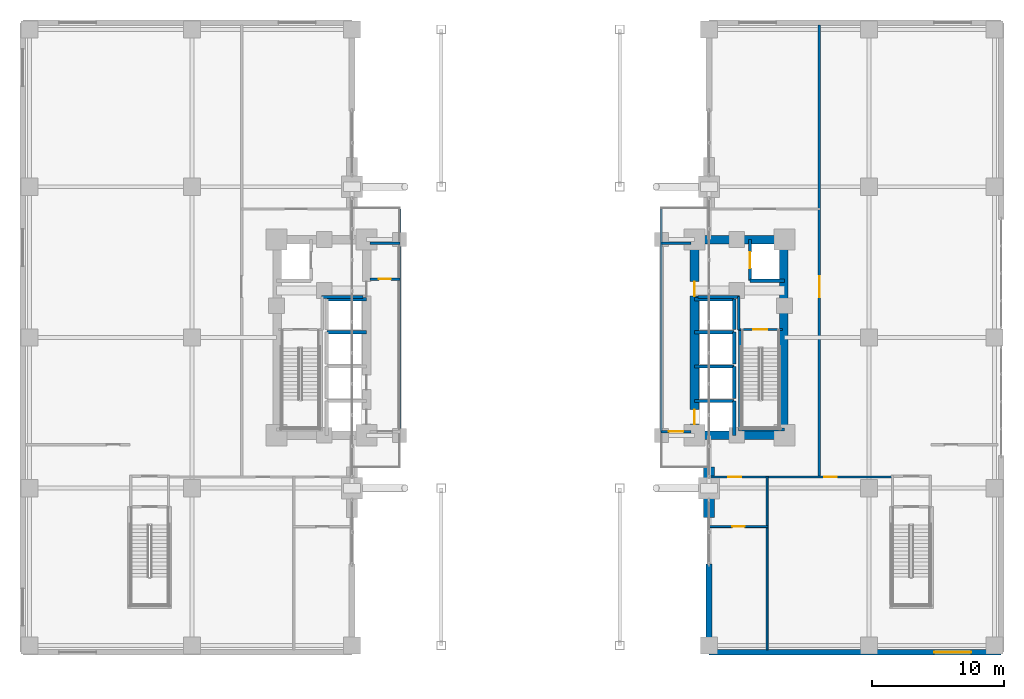
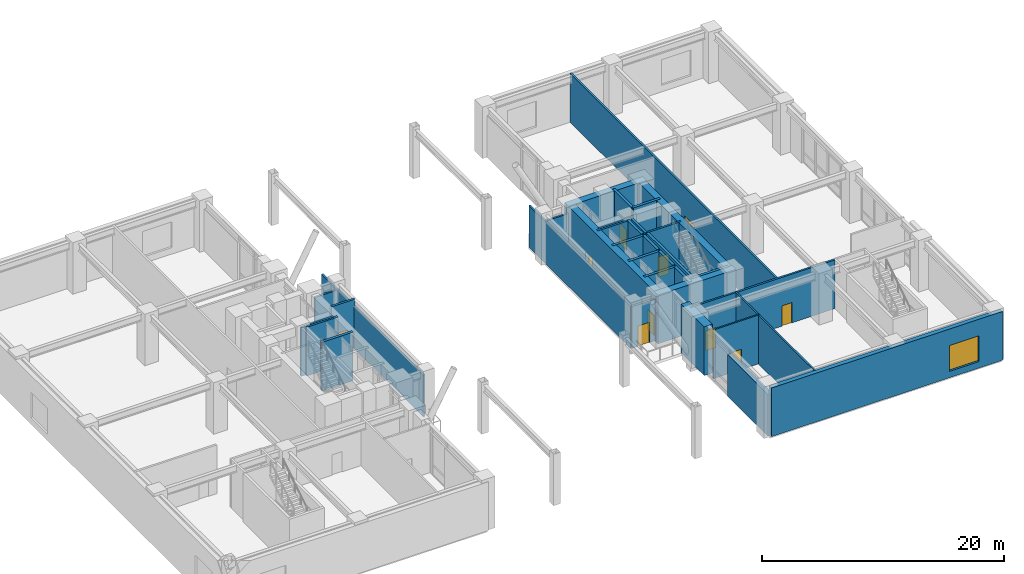
# One storey, part 21 of 27: 35 walls, 10 doors, 1 window, 11 openings.
"""IFC4 building model written with IfcOpenShell, lengths in metres."""

from ifc_helpers import new_model, si_unit, direction, frame, frame_2d, origin, place, context, subcontext, project, spatial, rectangle, extrude, material, layer, layer_set, type_object, element, fill, save


model = new_model("IFC4")

# Units and contexts
model_context = context("Model", 3, precision=1e-05, world=origin(), true_north=direction((0.0, 1.0)))
body_context = subcontext(model_context, "Body", "Model", "MODEL_VIEW")
ifc_project = project(units=[si_unit("LENGTHUNIT", "METRE"), si_unit("AREAUNIT", "SQUARE_METRE"), si_unit("VOLUMEUNIT", "CUBIC_METRE"), si_unit("PLANEANGLEUNIT", "RADIAN"), si_unit("MASSUNIT", "GRAM", prefix="KILO")], contexts=[model_context])

# Site, building, storey
site_placement = place(None, origin())
site = spatial("IfcSite", under=ifc_project, at=site_placement, CompositionType="ELEMENT")
building_placement = place(site_placement, origin())
building = spatial("IfcBuilding", under=site, at=building_placement, Name="Voryun Gate Residences", CompositionType="ELEMENT")
storey_placement = place(building_placement, frame((0.0, 0.0, 5.199951171875)))
storey = spatial("IfcBuildingStorey", under=building, at=storey_placement, Name="L01", CompositionType="ELEMENT", Elevation=5.199951171875)

# Walls
ifc_material_1 = material(Name="Concrete C60/75", Category="concrete")
ifc_layer_1 = layer(ifc_material_1, 0.64990234375, Name="CW_CORE_650")
ifc_layer_set_1 = layer_set([ifc_layer_1], Name="Concrete C60/75")
wall_type_1 = type_object("IfcWallType", Name="CW_CORE_650", PredefinedType="SHEAR", material=ifc_layer_set_1)
for number, where, z_axis, x_axis, name in (
    (1, (12.074951171875, -7.39990234375, 0.0), (0.0, 0.0, 1.0), (1.0, 0.0, 0.0), "L01 Core shear wall CW-L01-ES"),
    (2, (12.074951171875, 7.39990234375, 0.0), (0.0, 0.0, 1.0), (1.0, 0.0, 0.0), "L01 Core shear wall CW-L01-EN"),
):
    element("IfcWall", number, at=place(storey_placement, frame(where, z_axis=z_axis, x_axis=x_axis)), inside=storey, type_object=wall_type_1, Name=name, PredefinedType="SHEAR", context=body_context, shape_type="SweptSolid", body=[
        extrude(rectangle(XDim=7.449951171875, YDim=0.64990234375, at=frame_2d((3.72509765625, 0.0))), origin(), (0.0, 0.0, 1.0), 4.920166015625),
    ])

# Wall, openings, doors
wall_1_placement = place(storey_placement, frame((12.39990234375, -7.39990234375, 0.0), z_axis=(0.0, 0.0, 1.0), x_axis=(0.0, 1.0, 0.0)))
wall_1 = element("IfcWall", 3, at=wall_1_placement, inside=storey, type_object=wall_type_1, Name="L01 Core shear wall CW-L01-EW", PredefinedType="SHEAR", context=body_context, shape_type="SweptSolid", body=[
    extrude(rectangle(XDim=14.7998046875, YDim=0.64990234375, at=frame_2d((7.39990234375, 0.0))), origin(), (0.0, 0.0, 1.0), 4.920166015625),
])
opening_1_placement = place(wall_1_placement, frame((0.85009765625, 0.0, 0.0)))
opening_1 = element("IfcOpeningElement", 4, at=opening_1_placement, cuts=wall_1, Name="Opening LD2", PredefinedType="OPENING", context=body_context, shape_type="SweptSolid", body=[
    extrude(rectangle(XDim=1.10009765625, YDim=2.050048828125, at=frame_2d((0.550048828125, 1.02490234375))), frame((0.0, 0.3349609375, 0.0), z_axis=(0.0, -1.0, 0.0), x_axis=(1.0, 0.0, 0.0)), (0.0, 0.0, 1.0), 0.669921875),
])
opening_2_placement = place(wall_1_placement, frame((10.530029296875, 0.0, 0.0)))
opening_2 = element("IfcOpeningElement", 5, at=opening_2_placement, cuts=wall_1, Name="Opening D-FD60-2", PredefinedType="OPENING", context=body_context, shape_type="SweptSolid", body=[
    extrude(rectangle(XDim=1.10009765625, YDim=2.050048828125, at=frame_2d((0.550048828125, 1.02490234375))), frame((0.0, 0.3349609375, 0.0), z_axis=(0.0, -1.0, 0.0), x_axis=(1.0, 0.0, 0.0)), (0.0, 0.0, 1.0), 0.669921875),
])
ifc_material_2 = material(Name="Painted steel fire door", Category="steel")
door_type_1 = type_object("IfcDoorType", Name="DR_FD60_FFLOB_1100", OperationType="NOTDEFINED", PredefinedType="DOOR", material=ifc_material_2)
door_1_placement = place(opening_2_placement, origin())
door_1 = element("IfcDoor", 6, at=door_1_placement, inside=storey, type_object=door_type_1, Name="Door DR-L01-CLOB-E", OperationType="SINGLE_SWING_RIGHT", OverallHeight=2.050048828125, OverallWidth=1.10009765625, PredefinedType="DOOR", context=body_context, shape_type="SweptSolid", body=[
    extrude(rectangle(XDim=1.10009765625, YDim=2.050048828125, at=frame_2d((0.550048828125, 1.02490234375))), frame((0.0, 0.02490234375, 0.0), z_axis=(0.0, -1.0, 0.0), x_axis=(1.0, 0.0, 0.0)), (0.0, 0.0, 1.0), 0.050048828125),
])
fill(opening_2, door_1)
ifc_material_3 = material(Name="Anodised aluminium", Category="aluminium")
door_type_2 = type_object("IfcDoorType", Name="DR_LD_PASS_1100", OperationType="NOTDEFINED", PredefinedType="DOOR", material=ifc_material_3)
door_2_placement = place(opening_1_placement, origin())
door_2 = element("IfcDoor", 7, at=door_2_placement, inside=storey, type_object=door_type_2, Name="Lift EL-P3 sliding landing door L01", OperationType="SLIDING_TO_LEFT", OverallHeight=2.050048828125, OverallWidth=1.10009765625, PredefinedType="DOOR", context=body_context, shape_type="SweptSolid", body=[
    extrude(rectangle(XDim=1.10009765625, YDim=2.050048828125, at=frame_2d((0.550048828125, 1.02490234375))), frame((0.0, 0.02490234375, 0.0), z_axis=(0.0, -1.0, 0.0), x_axis=(1.0, 0.0, 0.0)), (0.0, 0.0, 1.0), 0.050048828125),
])
fill(opening_1, door_2)

# Walls
wall_2_placement = place(storey_placement, frame((19.14501953125, -7.39990234375, 0.0), z_axis=(0.0, 0.0, 1.0), x_axis=(0.0, 1.0, 0.0)))
element("IfcWall", 8, at=wall_2_placement, inside=storey, type_object=wall_type_1, Name="L01 Core shear wall CW-L01-EE", PredefinedType="SHEAR", context=body_context, shape_type="SweptSolid", body=[
    extrude(rectangle(XDim=14.7998046875, YDim=0.64990234375, at=frame_2d((7.39990234375, 0.0))), origin(), (0.0, 0.0, 1.0), 4.920166015625),
])
ifc_material_4 = material(Name="Concrete C60/75", Category="concrete")
ifc_layer_2 = layer(ifc_material_4, 0.800048828125, Name="W_ARCH_PIER_800")
ifc_layer_set_2 = layer_set([ifc_layer_2], Name="Concrete C60/75")
wall_type_2 = type_object("IfcWallType", Name="W_ARCH_PIER_800", PredefinedType="SOLIDWALL", material=ifc_layer_set_2)
wall_3_placement = place(storey_placement, frame((13.5, -13.60009765625, 0.0), z_axis=(0.0, 0.0, 1.0), x_axis=(0.0, 1.0, 0.0)))
element("IfcWall", 9, at=wall_3_placement, inside=storey, type_object=wall_type_2, Name="L01 Parabolic arch pier wall ES", PredefinedType="SOLIDWALL", context=body_context, shape_type="SweptSolid", body=[
    extrude(rectangle(XDim=3.800048828125, YDim=0.800048828125, at=frame_2d((1.89990234375, 0.0))), origin(), (0.0, 0.0, 1.0), 4.920166015625),
])
ifc_material_5 = material(Name="Gypsum acoustic fireboard")
ifc_layer_3 = layer(ifc_material_5, 0.179931640625, Name="W_CORR_RATED_180")
ifc_layer_set_3 = layer_set([ifc_layer_3], Name="Gypsum acoustic fireboard")
wall_type_3 = type_object("IfcWallType", Name="W_CORR_RATED_180", PredefinedType="PARTITIONING", material=ifc_layer_set_3)
wall_4_placement = place(storey_placement, frame((-12.14990234375, 7.1201171875, 0.0), z_axis=(0.0, 0.0, 1.0), x_axis=(1.0, 0.0, 0.0)))
element("IfcWall", 10, at=wall_4_placement, inside=storey, type_object=wall_type_3, Name="Partition wall WP-L01-PLBN-W", PredefinedType="PARTITIONING", context=body_context, shape_type="SweptSolid", body=[
    extrude(rectangle(XDim=2.27001953125, YDim=0.179931640625, at=frame_2d((1.135009765625, 0.0))), origin(), (0.0, 0.0, 1.0), 4.2099609375),
])

# Wall, opening, door
wall_5_placement = place(storey_placement, frame((15.699951171875, 0.60009765625, 0.0), z_axis=(0.0, 0.0, 1.0), x_axis=(1.0, 0.0, 0.0)))
wall_5 = element("IfcWall", 11, at=wall_5_placement, inside=storey, type_object=wall_type_3, Name="Partition wall WP-L01-STV-E", PredefinedType="PARTITIONING", context=body_context, shape_type="SweptSolid", body=[
    extrude(rectangle(XDim=3.360107421875, YDim=0.179931640625, at=frame_2d((1.68017578125, 0.0))), origin(), (0.0, 0.0, 1.0), 4.920166015625),
])
opening_3_placement = place(wall_5_placement, frame((1.155029296875, 0.0, 0.0)))
opening_3 = element("IfcOpeningElement", 12, at=opening_3_placement, cuts=wall_5, Name="Opening D-FD60-1", PredefinedType="OPENING", context=body_context, shape_type="SweptSolid", body=[
    extrude(rectangle(XDim=1.050048828125, YDim=2.050048828125, at=frame_2d((0.52490234375, 1.02490234375))), frame((0.0, 0.099853515625, 0.0), z_axis=(0.0, -1.0, 0.0), x_axis=(1.0, 0.0, 0.0)), (0.0, 0.0, 1.0), 0.199951171875),
])
ifc_material_6 = material(Name="Painted steel fire door", Category="steel")
door_type_3 = type_object("IfcDoorType", Name="DR_FD60_STAIR_1050", OperationType="NOTDEFINED", PredefinedType="DOOR", material=ifc_material_6)
door_3_placement = place(opening_3_placement, origin())
door_3 = element("IfcDoor", 13, at=door_3_placement, inside=storey, type_object=door_type_3, Name="Door DR-L01-ST-E", OperationType="SINGLE_SWING_RIGHT", OverallHeight=2.050048828125, OverallWidth=1.050048828125, PredefinedType="DOOR", context=body_context, shape_type="SweptSolid", body=[
    extrude(rectangle(XDim=1.050048828125, YDim=2.050048828125, at=frame_2d((0.52490234375, 1.02490234375))), frame((0.0, 0.02490234375, 0.0), z_axis=(0.0, -1.0, 0.0), x_axis=(1.0, 0.0, 0.0)), (0.0, 0.0, 1.0), 0.050048828125),
])
fill(opening_3, door_3)

# Wall
wall_6_placement = place(storey_placement, frame((9.8798828125, 7.1201171875, 0.0), z_axis=(0.0, 0.0, 1.0), x_axis=(1.0, 0.0, 0.0)))
element("IfcWall", 14, at=wall_6_placement, inside=storey, type_object=wall_type_3, Name="Partition wall WP-L01-PLBN-E", PredefinedType="PARTITIONING", context=body_context, shape_type="SweptSolid", body=[
    extrude(rectangle(XDim=2.27001953125, YDim=0.179931640625, at=frame_2d((1.135009765625, 0.0))), origin(), (0.0, 0.0, 1.0), 4.2099609375),
])

# Wall, opening, door
wall_7_placement = place(storey_placement, frame((9.8798828125, -7.1201171875, 0.0), z_axis=(0.0, 0.0, 1.0), x_axis=(1.0, 0.0, 0.0)))
wall_7 = element("IfcWall", 15, at=wall_7_placement, inside=storey, type_object=wall_type_3, Name="Partition wall WP-L01-PLBS-E", PredefinedType="PARTITIONING", context=body_context, shape_type="SweptSolid", body=[
    extrude(rectangle(XDim=2.27001953125, YDim=0.179931640625, at=frame_2d((1.135009765625, 0.0))), origin(), (0.0, 0.0, 1.0), 4.2099609375),
])
opening_4_placement = place(wall_7_placement, frame((0.5849609375, 0.0, 0.0)))
opening_4 = element("IfcOpeningElement", 16, at=opening_4_placement, cuts=wall_7, Name="Opening D-FD60-2", PredefinedType="OPENING", context=body_context, shape_type="SweptSolid", body=[
    extrude(rectangle(XDim=1.10009765625, YDim=2.050048828125, at=frame_2d((0.550048828125, 1.02490234375))), frame((0.0, 0.099853515625, 0.0), z_axis=(0.0, -1.0, 0.0), x_axis=(1.0, 0.0, 0.0)), (0.0, 0.0, 1.0), 0.199951171875),
])
door_4_placement = place(opening_4_placement, origin())
door_4 = element("IfcDoor", 17, at=door_4_placement, inside=storey, type_object=door_type_1, Name="Door DR-L01-PLBNE", OperationType="SINGLE_SWING_RIGHT", OverallHeight=2.050048828125, OverallWidth=1.10009765625, PredefinedType="DOOR", context=body_context, shape_type="SweptSolid", body=[
    extrude(rectangle(XDim=1.10009765625, YDim=2.050048828125, at=frame_2d((0.550048828125, 1.02490234375))), frame((0.0, 0.02490234375, 0.0), z_axis=(0.0, -1.0, 0.0), x_axis=(1.0, 0.0, 0.0)), (0.0, 0.0, 1.0), 0.050048828125),
])
fill(opening_4, door_4)

# Walls
for number, where, z_axis, x_axis, name in (
    (18, (-9.89990234375, -7.1201171875, 0.0), (0.0, 0.0, 1.0), (0.0, 1.0, 0.0), "Partition wall WP-L01-PLBW"),
    (19, (9.89990234375, -7.1201171875, 0.0), (0.0, 0.0, 1.0), (0.0, 1.0, 0.0), "Partition wall WP-L01-PLBE"),
):
    element("IfcWall", number, at=place(storey_placement, frame(where, z_axis=z_axis, x_axis=x_axis)), inside=storey, type_object=wall_type_3, Name=name, PredefinedType="PARTITIONING", context=body_context, shape_type="SweptSolid", body=[
        extrude(rectangle(XDim=16.820068359375, YDim=0.179931640625, at=frame_2d((8.41015625, 0.0))), origin(), (0.0, 0.0, 1.0), 4.2099609375),
    ])

# Wall, opening, door
wall_8_placement = place(storey_placement, frame((21.85009765625, -10.5, 0.0), z_axis=(0.0, 0.0, 1.0), x_axis=(0.0, 1.0, 0.0)))
wall_8 = element("IfcWall", 20, at=wall_8_placement, inside=storey, type_object=wall_type_3, Name="Partition wall WP-L01-ECE1", PredefinedType="PARTITIONING", context=body_context, shape_type="SweptSolid", body=[
    extrude(rectangle(XDim=34.1201171875, YDim=0.179931640625, at=frame_2d((17.06005859375, 0.0))), origin(), (0.0, 0.0, 1.0), 4.920166015625),
])
opening_5_placement = place(wall_8_placement, frame((13.530517578125, 0.0, 0.0)))
opening_5 = element("IfcOpeningElement", 21, at=opening_5_placement, cuts=wall_8, Name="Opening D-FD30-1", PredefinedType="OPENING", context=body_context, shape_type="SweptSolid", body=[
    extrude(rectangle(XDim=1.60009765625, YDim=2.050048828125, at=frame_2d((0.800048828125, 1.02490234375))), frame((0.0, 0.099853515625, 0.0), z_axis=(0.0, -1.0, 0.0), x_axis=(1.0, 0.0, 0.0)), (0.0, 0.0, 1.0), 0.199951171875),
])
ifc_material_7 = material(Name="Glazed aluminium fire door", Category="aluminium")
door_type_4 = type_object("IfcDoorType", Name="DR_CORR_SMOKE_1600", OperationType="NOTDEFINED", PredefinedType="DOOR", material=ifc_material_7)
door_5_placement = place(opening_5_placement, origin())
door_5 = element("IfcDoor", 22, at=door_5_placement, inside=storey, type_object=door_type_4, Name="Door DR-L01-ED1", OperationType="DOUBLE_DOOR_SINGLE_SWING", OverallHeight=2.050048828125, OverallWidth=1.60009765625, PredefinedType="DOOR", context=body_context, shape_type="SweptSolid", body=[
    extrude(rectangle(XDim=1.60009765625, YDim=2.050048828125, at=frame_2d((0.800048828125, 1.02490234375))), frame((0.0, 0.02490234375, 0.0), z_axis=(0.0, -1.0, 0.0), x_axis=(1.0, 0.0, 0.0)), (0.0, 0.0, 1.0), 0.050048828125),
])
fill(opening_5, door_5)

# Wall, openings, doors
wall_9_placement = place(storey_placement, frame((13.52001953125, -10.550048828125, 0.0), z_axis=(0.0, 0.0, 1.0), x_axis=(1.0, 0.0, 0.0)))
wall_9 = element("IfcWall", 23, at=wall_9_placement, inside=storey, type_object=wall_type_3, Name="Partition wall WP-L01-ECS2", PredefinedType="PARTITIONING", context=body_context, shape_type="SweptSolid", body=[
    extrude(rectangle(XDim=13.780029296875, YDim=0.179931640625, at=frame_2d((6.89013671875, 0.0))), origin(), (0.0, 0.0, 1.0), 4.920166015625),
])
opening_6_placement = place(wall_9_placement, frame((1.42919921875, 0.0, 0.0)))
opening_6 = element("IfcOpeningElement", 24, at=opening_6_placement, cuts=wall_9, Name="Opening D-AWC-1", PredefinedType="OPENING", context=body_context, shape_type="SweptSolid", body=[
    extrude(rectangle(XDim=1.0, YDim=2.050048828125, at=frame_2d((0.5, 1.02490234375))), frame((0.0, 0.099853515625, 0.0), z_axis=(0.0, -1.0, 0.0), x_axis=(1.0, 0.0, 0.0)), (0.0, 0.0, 1.0), 0.199951171875),
])
opening_7_placement = place(wall_9_placement, frame((8.701904296875, 0.0, 0.0)))
opening_7 = element("IfcOpeningElement", 25, at=opening_7_placement, cuts=wall_9, Name="Opening D-INT-1", PredefinedType="OPENING", context=body_context, shape_type="SweptSolid", body=[
    extrude(rectangle(XDim=0.949951171875, YDim=2.050048828125, at=frame_2d((0.47509765625, 1.02490234375))), frame((0.0, 0.099853515625, 0.0), z_axis=(0.0, -1.0, 0.0), x_axis=(1.0, 0.0, 0.0)), (0.0, 0.0, 1.0), 0.199951171875),
])
ifc_material_8 = material(Name="Architectural oak veneer")
door_type_5 = type_object("IfcDoorType", Name="DR_ACC_WC_1000", OperationType="NOTDEFINED", PredefinedType="DOOR", material=ifc_material_8)
door_6_placement = place(opening_6_placement, origin())
door_6 = element("IfcDoor", 26, at=door_6_placement, inside=storey, type_object=door_type_5, Name="Door DR-L01-EDWC", OperationType="SINGLE_SWING_LEFT", OverallHeight=2.050048828125, OverallWidth=1.0, PredefinedType="DOOR", context=body_context, shape_type="SweptSolid", body=[
    extrude(rectangle(XDim=1.0, YDim=2.050048828125, at=frame_2d((0.5, 1.02490234375))), frame((0.0, 0.02490234375, 0.0), z_axis=(0.0, -1.0, 0.0), x_axis=(1.0, 0.0, 0.0)), (0.0, 0.0, 1.0), 0.050048828125),
])
fill(opening_6, door_6)
ifc_material_9 = material(Name="Architectural oak veneer")
door_type_6 = type_object("IfcDoorType", Name="DR_INT_ROOM_950", OperationType="NOTDEFINED", PredefinedType="DOOR", material=ifc_material_9)
door_7_placement = place(opening_7_placement, origin())
door_7 = element("IfcDoor", 27, at=door_7_placement, inside=storey, type_object=door_type_6, Name="Door DR-L01-ED3", OperationType="SINGLE_SWING_RIGHT", OverallHeight=2.050048828125, OverallWidth=0.949951171875, PredefinedType="DOOR", context=body_context, shape_type="SweptSolid", body=[
    extrude(rectangle(XDim=0.949951171875, YDim=2.050048828125, at=frame_2d((0.47509765625, 1.02490234375))), frame((0.0, 0.02490234375, 0.0), z_axis=(0.0, -1.0, 0.0), x_axis=(1.0, 0.0, 0.0)), (0.0, 0.0, 1.0), 0.050048828125),
])
fill(opening_7, door_7)

# Wall, opening, window
ifc_material_10 = material(Name="Granite masonry", Category="masonry")
ifc_layer_4 = layer(ifc_material_10, 0.419921875, Name="W_EXT_PODIUM_420")
ifc_layer_set_4 = layer_set([ifc_layer_4], Name="Granite masonry")
wall_type_4 = type_object("IfcWallType", Name="W_EXT_PODIUM_420", PredefinedType="ELEMENTEDWALL", material=ifc_layer_set_4)
wall_10_placement = place(storey_placement, frame((13.5, -23.800048828125, 0.0), z_axis=(0.0, 0.0, 1.0), x_axis=(1.0, 0.0, 0.0)))
wall_10 = element("IfcWall", 28, at=wall_10_placement, inside=storey, type_object=wall_type_4, Name="Exterior wall WEP-L01-EP-1", PredefinedType="ELEMENTEDWALL", context=body_context, shape_type="SweptSolid", body=[
    extrude(rectangle(XDim=22.10009765625, YDim=0.419921875, at=frame_2d((11.050048828125, 0.0))), origin(), (0.0, 0.0, 1.0), 4.920166015625),
])
opening_8_placement = place(wall_10_placement, frame((17.01708984375, 0.0, 0.64990234375)))
opening_8 = element("IfcOpeningElement", 29, at=opening_8_placement, cuts=wall_10, Name="Opening WN5", PredefinedType="OPENING", context=body_context, shape_type="SweptSolid", body=[
    extrude(rectangle(XDim=2.800048828125, YDim=2.60009765625, at=frame_2d((1.39990234375, 1.300048828125))), frame((0.0, 0.219970703125, 0.0), z_axis=(0.0, -1.0, 0.0), x_axis=(1.0, 0.0, 0.0)), (0.0, 0.0, 1.0), 0.43994140625),
])
ifc_material_11 = material(Name="Laminated low-E glass", Category="glass")
window_type = type_object("IfcWindowType", Name="WN_POD_GALLERY_2800", PartitioningType="SINGLE_PANEL", PredefinedType="WINDOW", material=ifc_material_11)
window_placement = place(opening_8_placement, origin())
window = element("IfcWindow", 30, at=window_placement, inside=storey, type_object=window_type, Name="Window WN-L01-EP-1-03", OverallHeight=2.60009765625, OverallWidth=2.800048828125, PartitioningType="SINGLE_PANEL", PredefinedType="WINDOW", context=body_context, shape_type="SweptSolid", body=[
    extrude(rectangle(XDim=2.800048828125, YDim=2.60009765625, at=frame_2d((1.39990234375, 1.300048828125))), frame((0.0, 0.030029296875, 0.0), z_axis=(0.0, -1.0, 0.0), x_axis=(1.0, 0.0, 0.0)), (0.0, 0.0, 1.0), 0.06005859375),
])
fill(opening_8, window)

# Walls
wall_11_placement = place(storey_placement, frame((13.5, -23.800048828125, 0.0), z_axis=(0.0, 0.0, 1.0), x_axis=(0.0, 1.0, 0.0)))
element("IfcWall", 31, at=wall_11_placement, inside=storey, type_object=wall_type_4, Name="Exterior wall WEP-L01-EP-4A", PredefinedType="ELEMENTEDWALL", context=body_context, shape_type="SweptSolid", body=[
    extrude(rectangle(XDim=6.679931640625, YDim=0.419921875, at=frame_2d((3.33984375, 0.0))), origin(), (0.0, 0.0, 1.0), 4.2099609375),
])
ifc_material_12 = material(Name="Concrete C40/50", Category="concrete")
ifc_layer_5 = layer(ifc_material_12, 0.199951171875, Name="W_FF_LOBBY_200")
ifc_layer_set_5 = layer_set([ifc_layer_5], Name="Concrete C40/50")
wall_type_5 = type_object("IfcWallType", Name="W_FF_LOBBY_200", PredefinedType="PARTITIONING", material=ifc_layer_set_5)
wall_12_placement = place(storey_placement, frame((-15.820068359375, 3.06005859375, 0.0), z_axis=(0.0, 0.0, 1.0), x_axis=(1.0, 0.0, 0.0)))
element("IfcWall", 32, at=wall_12_placement, inside=storey, type_object=wall_type_5, Name="Partition wall WP-L01-FFPS-W", PredefinedType="PARTITIONING", context=body_context, shape_type="SweptSolid", body=[
    extrude(rectangle(XDim=3.16015625, YDim=0.199951171875, at=frame_2d((1.580078125, 0.0))), origin(), (0.0, 0.0, 1.0), 4.920166015625),
])

# Wall, opening, door
wall_13_placement = place(storey_placement, frame((-12.14990234375, 4.409912109375, 0.0), z_axis=(0.0, 0.0, 1.0), x_axis=(1.0, 0.0, 0.0)))
wall_13 = element("IfcWall", 33, at=wall_13_placement, inside=storey, type_object=wall_type_5, Name="Partition wall WP-L01-CSFLKS-W", PredefinedType="PARTITIONING", context=body_context, shape_type="SweptSolid", body=[
    extrude(rectangle(XDim=2.27001953125, YDim=0.199951171875, at=frame_2d((1.135009765625, 0.0))), origin(), (0.0, 0.0, 1.0), 4.920166015625),
])
opening_9_placement = place(wall_13_placement, frame((0.68505859375, 0.0, 0.0)))
opening_9 = element("IfcOpeningElement", 34, at=opening_9_placement, cuts=wall_13, Name="Opening D-FD60-4", PredefinedType="OPENING", context=body_context, shape_type="SweptSolid", body=[
    extrude(rectangle(XDim=0.89990234375, YDim=2.050048828125, at=frame_2d((0.449951171875, 1.02490234375))), frame((0.0, 0.110107421875, 0.0), z_axis=(0.0, -1.0, 0.0), x_axis=(1.0, 0.0, 0.0)), (0.0, 0.0, 1.0), 0.219970703125),
])
ifc_material_13 = material(Name="Painted steel fire door", Category="steel")
door_type_7 = type_object("IfcDoorType", Name="DR_FD60_RISER_900", OperationType="NOTDEFINED", PredefinedType="DOOR", material=ifc_material_13)
door_8_placement = place(opening_9_placement, origin())
door_8 = element("IfcDoor", 35, at=door_8_placement, inside=storey, type_object=door_type_7, Name="Door DR-L01-CSFLK-W", OperationType="SINGLE_SWING_LEFT", OverallHeight=2.050048828125, OverallWidth=0.89990234375, PredefinedType="DOOR", context=body_context, shape_type="SweptSolid", body=[
    extrude(rectangle(XDim=0.89990234375, YDim=2.050048828125, at=frame_2d((0.449951171875, 1.02490234375))), frame((0.0, 0.02490234375, 0.0), z_axis=(0.0, -1.0, 0.0), x_axis=(1.0, 0.0, 0.0)), (0.0, 0.0, 1.0), 0.050048828125),
])
fill(opening_9, door_8)

# Walls
wall_14_placement = place(storey_placement, frame((15.760009765625, 0.580078125, 0.0), z_axis=(0.0, 0.0, 1.0), x_axis=(0.0, 1.0, 0.0)))
element("IfcWall", 36, at=wall_14_placement, inside=storey, type_object=wall_type_5, Name="Partition wall WP-L01-FFP0-E", PredefinedType="PARTITIONING", context=body_context, shape_type="SweptSolid", body=[
    extrude(rectangle(XDim=2.52001953125, YDim=0.199951171875, at=frame_2d((1.260009765625, 0.0))), origin(), (0.0, 0.0, 1.0), 4.920166015625),
])
wall_15_placement = place(storey_placement, frame((12.659912109375, 3.06005859375, 0.0), z_axis=(0.0, 0.0, 1.0), x_axis=(1.0, 0.0, 0.0)))
element("IfcWall", 37, at=wall_15_placement, inside=storey, type_object=wall_type_5, Name="Partition wall WP-L01-FFPS-E", PredefinedType="PARTITIONING", context=body_context, shape_type="SweptSolid", body=[
    extrude(rectangle(XDim=3.16015625, YDim=0.199951171875, at=frame_2d((1.580078125, 0.0))), origin(), (0.0, 0.0, 1.0), 4.920166015625),
])
ifc_material_14 = material(Name="Concrete C50/60", Category="concrete")
ifc_layer_6 = layer(ifc_material_14, 0.25, Name="W_SHAFT_RC250")
ifc_layer_set_6 = layer_set([ifc_layer_6], Name="Concrete C50/60")
wall_type_6 = type_object("IfcWallType", Name="W_SHAFT_RC250", PredefinedType="SOLIDWALL", material=ifc_layer_set_6)
wall_16_placement = place(storey_placement, frame((15.860107421875, -7.0849609375, 0.0), z_axis=(0.0, 0.0, 1.0), x_axis=(0.0, 1.0, 0.0)))
element("IfcWall", 38, at=wall_16_placement, inside=storey, type_object=wall_type_6, Name="L01 Stair shaft structural wall E-STL", PredefinedType="SOLIDWALL", context=body_context, shape_type="SweptSolid", body=[
    extrude(rectangle(XDim=7.68505859375, YDim=0.25, at=frame_2d((3.842529296875, 0.0))), origin(), (0.0, 0.0, 1.0), 4.920166015625),
])
wall_17_placement = place(storey_placement, frame((15.739990234375, -6.965087890625, 0.0), z_axis=(0.0, 0.0, 1.0), x_axis=(1.0, 0.0, 0.0)))
element("IfcWall", 39, at=wall_17_placement, inside=storey, type_object=wall_type_6, Name="L01 Stair shaft structural wall E-STS", PredefinedType="SOLIDWALL", context=body_context, shape_type="SweptSolid", body=[
    extrude(rectangle(XDim=3.4599609375, YDim=0.25, at=frame_2d((1.72998046875, 0.0))), origin(), (0.0, 0.0, 1.0), 4.920166015625),
])
wall_18_placement = place(storey_placement, frame((16.60009765625, 4.300048828125, 0.0), z_axis=(0.0, 0.0, 1.0), x_axis=(1.0, 0.0, 0.0)))
element("IfcWall", 40, at=wall_18_placement, inside=storey, type_object=wall_type_6, Name="Lift shaft wall WSH-L01-EL-FF-E1-S", PredefinedType="SOLIDWALL", context=body_context, shape_type="SweptSolid", body=[
    extrude(rectangle(XDim=2.599853515625, YDim=0.25, at=frame_2d((1.2998046875, 0.0))), origin(), (0.0, 0.0, 1.0), 4.920166015625),
])

# Wall, opening, door
wall_19_placement = place(storey_placement, frame((16.60009765625, 7.39990234375, 0.0), z_axis=(0.0, 0.0, 1.0), x_axis=(0.0, -1.0, 0.0)))
wall_19 = element("IfcWall", 41, at=wall_19_placement, inside=storey, type_object=wall_type_6, Name="Lift shaft wall WSH-L01-EL-FF-E1-W", PredefinedType="SOLIDWALL", context=body_context, shape_type="SweptSolid", body=[
    extrude(rectangle(XDim=3.099853515625, YDim=0.25, at=frame_2d((1.5498046875, 0.0))), origin(), (0.0, 0.0, 1.0), 4.920166015625),
])
opening_10_placement = place(wall_19_placement, frame((0.949951171875, 0.0, 0.0)))
opening_10 = element("IfcOpeningElement", 42, at=opening_10_placement, cuts=wall_19, Name="Opening LD1", PredefinedType="OPENING", context=body_context, shape_type="SweptSolid", body=[
    extrude(rectangle(XDim=1.199951171875, YDim=2.050048828125, at=frame_2d((0.60009765625, 1.02490234375))), frame((0.0, 0.135009765625, 0.0), z_axis=(0.0, -1.0, 0.0), x_axis=(1.0, 0.0, 0.0)), (0.0, 0.0, 1.0), 0.27001953125),
])
ifc_material_15 = material(Name="Anodised aluminium", Category="aluminium")
door_type_8 = type_object("IfcDoorType", Name="DR_LD_FF_1200", OperationType="NOTDEFINED", PredefinedType="DOOR", material=ifc_material_15)
door_9_placement = place(opening_10_placement, origin())
door_9 = element("IfcDoor", 43, at=door_9_placement, inside=storey, type_object=door_type_8, Name="Lift EL-FF-E1 sliding landing door L01", OperationType="SLIDING_TO_LEFT", OverallHeight=2.050048828125, OverallWidth=1.199951171875, PredefinedType="DOOR", context=body_context, shape_type="SweptSolid", body=[
    extrude(rectangle(XDim=1.199951171875, YDim=2.050048828125, at=frame_2d((0.60009765625, 1.02490234375))), frame((0.0, 0.02490234375, 0.0), z_axis=(0.0, -1.0, 0.0), x_axis=(1.0, 0.0, 0.0)), (0.0, 0.0, 1.0), 0.050048828125),
])
fill(opening_10, door_9)

# Walls
wall_20_placement = place(storey_placement, frame((15.39990234375, -7.39990234375, 0.0), z_axis=(0.0, 0.0, 1.0), x_axis=(0.0, 1.0, 0.0)))
element("IfcWall", 44, at=wall_20_placement, inside=storey, type_object=wall_type_6, Name="Lift shaft wall WSH-L01-EL-P3-E", PredefinedType="SOLIDWALL", context=body_context, shape_type="SweptSolid", body=[
    extrude(rectangle(XDim=2.599853515625, YDim=0.25, at=frame_2d((1.2998046875, 0.0))), origin(), (0.0, 0.0, 1.0), 4.920166015625),
])
for number, where, z_axis, x_axis, name in (
    (45, (15.39990234375, -4.800048828125, 0.0), (0.0, 0.0, 1.0), (-1.0, 0.0, 0.0), "Lift shaft wall WSH-L01-EL-P3-N"),
    (46, (-12.39990234375, 0.39990234375, 0.0), (0.0, 0.0, 1.0), (-1.0, 0.0, 0.0), "Lift shaft wall WSH-L01-EL-P4-N"),
):
    element("IfcWall", number, at=place(storey_placement, frame(where, z_axis=z_axis, x_axis=x_axis)), inside=storey, type_object=wall_type_6, Name=name, PredefinedType="SOLIDWALL", context=body_context, shape_type="SweptSolid", body=[
        extrude(rectangle(XDim=3.0, YDim=0.25, at=frame_2d((1.5, 0.0))), origin(), (0.0, 0.0, 1.0), 4.920166015625),
    ])
wall_21_placement = place(storey_placement, frame((15.39990234375, -4.60009765625, 0.0), z_axis=(0.0, 0.0, 1.0), x_axis=(0.0, 1.0, 0.0)))
element("IfcWall", 47, at=wall_21_placement, inside=storey, type_object=wall_type_6, Name="Lift shaft wall WSH-L01-EL-P5-E", PredefinedType="SOLIDWALL", context=body_context, shape_type="SweptSolid", body=[
    extrude(rectangle(XDim=2.400146484375, YDim=0.25, at=frame_2d((1.2001953125, 0.0))), origin(), (0.0, 0.0, 1.0), 4.920166015625),
])
wall_22_placement = place(storey_placement, frame((15.39990234375, -2.199951171875, 0.0), z_axis=(0.0, 0.0, 1.0), x_axis=(-1.0, 0.0, 0.0)))
element("IfcWall", 48, at=wall_22_placement, inside=storey, type_object=wall_type_6, Name="Lift shaft wall WSH-L01-EL-P5-N", PredefinedType="SOLIDWALL", context=body_context, shape_type="SweptSolid", body=[
    extrude(rectangle(XDim=3.0, YDim=0.25, at=frame_2d((1.5, 0.0))), origin(), (0.0, 0.0, 1.0), 4.920166015625),
])
wall_23_placement = place(storey_placement, frame((15.39990234375, -2.0, 0.0), z_axis=(0.0, 0.0, 1.0), x_axis=(0.0, 1.0, 0.0)))
element("IfcWall", 49, at=wall_23_placement, inside=storey, type_object=wall_type_6, Name="Lift shaft wall WSH-L01-EL-P6-E", PredefinedType="SOLIDWALL", context=body_context, shape_type="SweptSolid", body=[
    extrude(rectangle(XDim=2.39990234375, YDim=0.25, at=frame_2d((1.199951171875, 0.0))), origin(), (0.0, 0.0, 1.0), 4.920166015625),
])
for number, where, z_axis, x_axis, name in (
    (50, (15.39990234375, 0.39990234375, 0.0), (0.0, 0.0, 1.0), (-1.0, 0.0, 0.0), "Lift shaft wall WSH-L01-EL-P6-N"),
    (51, (-12.39990234375, 2.89990234375, 0.0), (0.0, 0.0, 1.0), (-1.0, 0.0, 0.0), "Lift shaft wall WSH-L01-EL-P7-N"),
):
    element("IfcWall", number, at=place(storey_placement, frame(where, z_axis=z_axis, x_axis=x_axis)), inside=storey, type_object=wall_type_6, Name=name, PredefinedType="SOLIDWALL", context=body_context, shape_type="SweptSolid", body=[
        extrude(rectangle(XDim=3.0, YDim=0.25, at=frame_2d((1.5, 0.0))), origin(), (0.0, 0.0, 1.0), 4.920166015625),
    ])
wall_24_placement = place(storey_placement, frame((15.39990234375, 0.60009765625, 0.0), z_axis=(0.0, 0.0, 1.0), x_axis=(0.0, 1.0, 0.0)))
element("IfcWall", 52, at=wall_24_placement, inside=storey, type_object=wall_type_6, Name="Lift shaft wall WSH-L01-EL-P8-E", PredefinedType="SOLIDWALL", context=body_context, shape_type="SweptSolid", body=[
    extrude(rectangle(XDim=2.2998046875, YDim=0.25, at=frame_2d((1.14990234375, 0.0))), origin(), (0.0, 0.0, 1.0), 4.920166015625),
])
wall_25_placement = place(storey_placement, frame((15.39990234375, 2.89990234375, 0.0), z_axis=(0.0, 0.0, 1.0), x_axis=(-1.0, 0.0, 0.0)))
element("IfcWall", 53, at=wall_25_placement, inside=storey, type_object=wall_type_6, Name="Lift shaft wall WSH-L01-EL-P8-N", PredefinedType="SOLIDWALL", context=body_context, shape_type="SweptSolid", body=[
    extrude(rectangle(XDim=3.0, YDim=0.25, at=frame_2d((1.5, 0.0))), origin(), (0.0, 0.0, 1.0), 4.920166015625),
])
ifc_material_16 = material(Name="Gypsum moisture-resistant partition")
ifc_layer_7 = layer(ifc_material_16, 0.14990234375, Name="W_WET_PLUMB_150")
ifc_layer_set_7 = layer_set([ifc_layer_7], Name="Gypsum moisture-resistant partition")
wall_type_7 = type_object("IfcWallType", Name="W_WET_PLUMB_150", PredefinedType="PLUMBINGWALL", material=ifc_layer_set_7)
wall_26_placement = place(storey_placement, frame((17.89990234375, -23.6201171875, 0.0), z_axis=(0.0, 0.0, 1.0), x_axis=(0.0, 1.0, 0.0)))
element("IfcWall", 54, at=wall_26_placement, inside=storey, type_object=wall_type_7, Name="Partition wall WP-L01-EWCD1", PredefinedType="PLUMBINGWALL", context=body_context, shape_type="SweptSolid", body=[
    extrude(rectangle(XDim=13.1201171875, YDim=0.14990234375, at=frame_2d((6.56005859375, 0.0))), origin(), (0.0, 0.0, 1.0), 4.920166015625),
])

# Wall, opening, door
wall_27_placement = place(storey_placement, frame((13.52001953125, -14.300048828125, 0.0), z_axis=(0.0, 0.0, 1.0), x_axis=(1.0, 0.0, 0.0)))
wall_27 = element("IfcWall", 55, at=wall_27_placement, inside=storey, type_object=wall_type_7, Name="Partition wall WP-L01-EWCD2", PredefinedType="PLUMBINGWALL", context=body_context, shape_type="SweptSolid", body=[
    extrude(rectangle(XDim=4.429931640625, YDim=0.14990234375, at=frame_2d((2.21484375, 0.0))), origin(), (0.0, 0.0, 1.0), 4.920166015625),
])
opening_11_placement = place(wall_27_placement, frame((1.739990234375, 0.0, 0.0)))
opening_11 = element("IfcOpeningElement", 56, at=opening_11_placement, cuts=wall_27, Name="Opening D-INT-1", PredefinedType="OPENING", context=body_context, shape_type="SweptSolid", body=[
    extrude(rectangle(XDim=0.949951171875, YDim=2.050048828125, at=frame_2d((0.47509765625, 1.02490234375))), frame((0.0, 0.0849609375, 0.0), z_axis=(0.0, -1.0, 0.0), x_axis=(1.0, 0.0, 0.0)), (0.0, 0.0, 1.0), 0.169921875),
])
door_10_placement = place(opening_11_placement, origin())
door_10 = element("IfcDoor", 57, at=door_10_placement, inside=storey, type_object=door_type_6, Name="Door DR-L01-ESTR", OperationType="SINGLE_SWING_RIGHT", OverallHeight=2.050048828125, OverallWidth=0.949951171875, PredefinedType="DOOR", context=body_context, shape_type="SweptSolid", body=[
    extrude(rectangle(XDim=0.949951171875, YDim=2.050048828125, at=frame_2d((0.47509765625, 1.02490234375))), frame((0.0, 0.02490234375, 0.0), z_axis=(0.0, -1.0, 0.0), x_axis=(1.0, 0.0, 0.0)), (0.0, 0.0, 1.0), 0.050048828125),
])
fill(opening_11, door_10)

save(model, "model.ifc")
